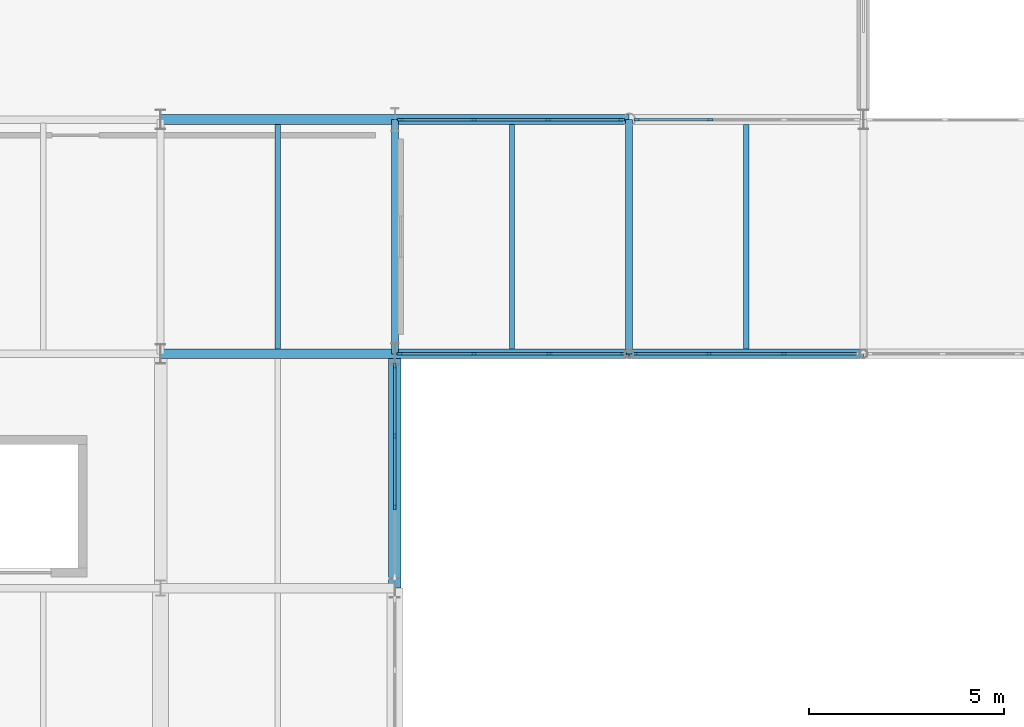
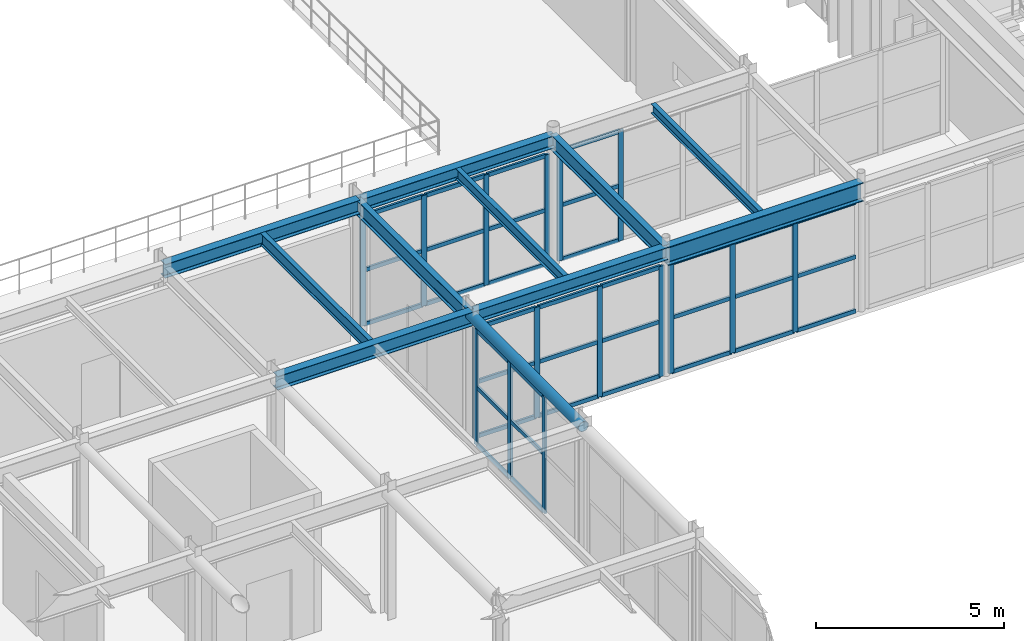
# One storey, part 34 of 84: 52 members, 11 beams, 5 elements without a shape of their own.
"""IFC4 building model written with IfcOpenShell, lengths in metres."""

from ifc_helpers import new_model, si_unit, direction, frame, origin, origin_2d, place, context, subcontext, project, spatial, rectangle, hollow_circle, i_section, extrude, material, material_profile, profile_set, type_object, element, aggregate, save


model = new_model("IFC4")

# Units and contexts
model_context = context("Model", 3, precision=1e-05, world=origin(), true_north=direction((0.0, 1.0)))
body_context = subcontext(model_context, "Body", "Model", "MODEL_VIEW")
ifc_project = project(units=[si_unit("LENGTHUNIT", "METRE"), si_unit("AREAUNIT", "SQUARE_METRE"), si_unit("VOLUMEUNIT", "CUBIC_METRE"), si_unit("PLANEANGLEUNIT", "RADIAN"), si_unit("MASSUNIT", "GRAM", prefix="KILO")], contexts=[model_context])

# Site, building, storey
site_placement = place(None, origin())
site = spatial("IfcSite", under=ifc_project, at=site_placement, CompositionType="ELEMENT")
building_placement = place(site_placement, origin())
building = spatial("IfcBuilding", under=site, at=building_placement, Name="Varnakota Square Police Headquarters", CompositionType="ELEMENT")
storey_placement = place(building_placement, frame((0.0, 0.0, 13.5)))
storey = spatial("IfcBuildingStorey", under=building, at=storey_placement, Name="L03", CompositionType="ELEMENT", Elevation=13.5)

# Beams
ifc_material_1 = material(Name="Steel IS 2062 Grade 350", Category="steel")
ifc_material_profile_1 = material_profile(ifc_material_1, hollow_circle(Radius=0.161865234375, WallThickness=0.0126953125, at=origin_2d()), Name="CHS 323.9x12.7")
ifc_profile_set_1 = profile_set([ifc_material_profile_1], Name="Steel IS 2062 Grade 350")
beam_type_1 = type_object("IfcBeamType", Name="BM-ARC-CHS324", PredefinedType="BEAM", material=ifc_profile_set_1)
beam_1_placement = place(storey_placement, frame((42.0, 63.0, 4.0380859375), z_axis=(0.0, 1.0, 0.0), x_axis=(-1.0, 0.0, 0.0)))
element("IfcBeam", 1, at=beam_1_placement, inside=storey, type_object=beam_type_1, Name="BMG-L03-2660", PredefinedType="BEAM", context=body_context, shape_type="SweptSolid", body=[
    extrude(hollow_circle(Radius=0.161865234375, WallThickness=0.0126953125, at=origin_2d()), origin(), (0.0, 0.0, 1.0), 6.0),
])
ifc_material_profile_2 = material_profile(ifc_material_1, i_section(OverallWidth=0.25, OverallDepth=0.39990234375, WebThickness=0.010498046875, FlangeThickness=0.0126953125, FilletRadius=0.013916015625, at=origin_2d()), Name="ISHB 400")
ifc_profile_set_2 = profile_set([ifc_material_profile_2], Name="Steel IS 2062 Grade 350")
beam_type_2 = type_object("IfcBeamType", Name="BM-ISHB400", PredefinedType="BEAM", material=ifc_profile_set_2)
for number, where, z_axis, x_axis, name in (
    (2, (42.0, 69.0, 4.0), (1.0, 0.0, 0.0), (0.0, 1.0, 0.0), "BMG-L03-2513"),
    (3, (42.0, 75.0, 4.0), (1.0, 0.0, 0.0), (0.0, 1.0, 0.0), "BMG-L03-2535"),
):
    element("IfcBeam", number, at=place(storey_placement, frame(where, z_axis=z_axis, x_axis=x_axis)), inside=storey, type_object=beam_type_2, Name=name, PredefinedType="BEAM", context=body_context, shape_type="SweptSolid", body=[
        extrude(i_section(OverallWidth=0.25, OverallDepth=0.39990234375, WebThickness=0.010498046875, FlangeThickness=0.0126953125, FilletRadius=0.013916015625, at=origin_2d()), origin(), (0.0, 0.0, 1.0), 6.0),
    ])
ifc_material_profile_3 = material_profile(ifc_material_1, i_section(OverallWidth=0.25, OverallDepth=0.449951171875, WebThickness=0.01123046875, FlangeThickness=0.013671875, FilletRadius=0.014892578125, at=origin_2d()), Name="ISHB 450")
ifc_profile_set_3 = profile_set([ifc_material_profile_3], Name="Steel IS 2062 Grade 350")
beam_type_3 = type_object("IfcBeamType", Name="BM-ISHB450", PredefinedType="BEAM", material=ifc_profile_set_3)
for number, where, z_axis, x_axis, name in (
    (4, (36.0, 69.0, 3.97509765625), (1.0, 0.0, 0.0), (0.0, 1.0, 0.0), "BMG-L03-2512"),
    (5, (36.0, 75.0, 3.97509765625), (1.0, 0.0, 0.0), (0.0, 1.0, 0.0), "BMG-L03-2534"),
):
    element("IfcBeam", number, at=place(storey_placement, frame(where, z_axis=z_axis, x_axis=x_axis)), inside=storey, type_object=beam_type_3, Name=name, PredefinedType="BEAM", context=body_context, shape_type="SweptSolid", body=[
        extrude(i_section(OverallWidth=0.25, OverallDepth=0.449951171875, WebThickness=0.01123046875, FlangeThickness=0.013671875, FilletRadius=0.014892578125, at=origin_2d()), origin(), (0.0, 0.0, 1.0), 6.0),
    ])
ifc_material_profile_4 = material_profile(ifc_material_1, i_section(OverallWidth=0.139892578125, OverallDepth=0.300048828125, WebThickness=0.0078125, FlangeThickness=0.01318359375, FilletRadius=0.013916015625, at=origin_2d()), Name="ISMB 300")
ifc_profile_set_4 = profile_set([ifc_material_profile_4], Name="Steel IS 2062 Grade 350")
beam_type_4 = type_object("IfcBeamType", Name="BM-ISMB300", PredefinedType="JOIST", material=ifc_profile_set_4)
beam_2_placement = place(storey_placement, frame((51.0, 69.123046875, 4.050048828125), z_axis=(0.0, 1.0, 0.0), x_axis=(-1.0, 0.0, 0.0)))
element("IfcBeam", 6, at=beam_2_placement, inside=storey, type_object=beam_type_4, Name="BMG-L03-2800", PredefinedType="JOIST", context=body_context, shape_type="SweptSolid", body=[
    extrude(i_section(OverallWidth=0.139892578125, OverallDepth=0.300048828125, WebThickness=0.0078125, FlangeThickness=0.01318359375, FilletRadius=0.013916015625, at=origin_2d()), origin(), (0.0, 0.0, 1.0), 5.75390625),
])
ifc_material_profile_5 = material_profile(ifc_material_1, i_section(OverallWidth=0.139892578125, OverallDepth=0.35009765625, WebThickness=0.008056640625, FlangeThickness=0.01416015625, FilletRadius=0.013916015625, at=origin_2d()), Name="ISMB 350")
ifc_profile_set_5 = profile_set([ifc_material_profile_5], Name="Steel IS 2062 Grade 350")
beam_type_5 = type_object("IfcBeamType", Name="BM-ISMB350", PredefinedType="JOIST", material=ifc_profile_set_5)
beam_3_placement = place(storey_placement, frame((45.0, 69.123046875, 4.02490234375), z_axis=(0.0, 1.0, 0.0), x_axis=(-1.0, 0.0, 0.0)))
element("IfcBeam", 7, at=beam_3_placement, inside=storey, type_object=beam_type_5, Name="BMG-L03-2799", PredefinedType="JOIST", context=body_context, shape_type="SweptSolid", body=[
    extrude(i_section(OverallWidth=0.139892578125, OverallDepth=0.35009765625, WebThickness=0.008056640625, FlangeThickness=0.01416015625, FilletRadius=0.013916015625, at=origin_2d()), origin(), (0.0, 0.0, 1.0), 5.75390625),
])
ifc_material_profile_6 = material_profile(ifc_material_1, i_section(OverallWidth=0.139892578125, OverallDepth=0.39990234375, WebThickness=0.0087890625, FlangeThickness=0.01611328125, FilletRadius=0.013916015625, at=origin_2d()), Name="ISMB 400")
ifc_profile_set_6 = profile_set([ifc_material_profile_6], Name="Steel IS 2062 Grade 350")
beam_type_6 = type_object("IfcBeamType", Name="BM-ISMB400", PredefinedType="JOIST", material=ifc_profile_set_6)
beam_4_placement = place(storey_placement, frame((39.0, 69.123046875, 4.0), z_axis=(0.0, 1.0, 0.0), x_axis=(-1.0, 0.0, 0.0)))
element("IfcBeam", 8, at=beam_4_placement, inside=storey, type_object=beam_type_6, Name="BMG-L03-2798", PredefinedType="JOIST", context=body_context, shape_type="SweptSolid", body=[
    extrude(i_section(OverallWidth=0.139892578125, OverallDepth=0.39990234375, WebThickness=0.0087890625, FlangeThickness=0.01611328125, FilletRadius=0.013916015625, at=origin_2d()), origin(), (0.0, 0.0, 1.0), 5.75390625),
])
ifc_material_profile_7 = material_profile(ifc_material_1, i_section(OverallWidth=0.179931640625, OverallDepth=0.5, WebThickness=0.01025390625, FlangeThickness=0.01708984375, FilletRadius=0.01708984375, at=origin_2d()), Name="ISMB 500")
ifc_profile_set_7 = profile_set([ifc_material_profile_7], Name="Steel IS 2062 Grade 350")
beam_type_7 = type_object("IfcBeamType", Name="BM-ISMB500", PredefinedType="BEAM", material=ifc_profile_set_7)
for number, where, z_axis, x_axis, name in (
    (9, (42.0, 69.0, 3.949951171875), (0.0, 1.0, 0.0), (-1.0, 0.0, 0.0), "BMG-L03-2661"),
    (10, (48.0, 69.0, 3.949951171875), (0.0, 1.0, 0.0), (-1.0, 0.0, 0.0), "BMG-L03-2663"),
):
    element("IfcBeam", number, at=place(storey_placement, frame(where, z_axis=z_axis, x_axis=x_axis)), inside=storey, type_object=beam_type_7, Name=name, PredefinedType="BEAM", context=body_context, shape_type="SweptSolid", body=[
        extrude(i_section(OverallWidth=0.179931640625, OverallDepth=0.5, WebThickness=0.01025390625, FlangeThickness=0.01708984375, FilletRadius=0.01708984375, at=origin_2d()), origin(), (0.0, 0.0, 1.0), 6.0),
    ])
ifc_material_profile_8 = material_profile(ifc_material_1, i_section(OverallWidth=0.25, OverallDepth=0.60009765625, WebThickness=0.01171875, FlangeThickness=0.023681640625, FilletRadius=0.01708984375, at=origin_2d()), Name="ISWB 600")
ifc_profile_set_8 = profile_set([ifc_material_profile_8], Name="Steel IS 2062 Grade 350")
beam_type_8 = type_object("IfcBeamType", Name="BM-ISWB600", PredefinedType="BEAM", material=ifc_profile_set_8)
beam_5_placement = place(storey_placement, frame((48.0, 69.0, 3.89990234375), z_axis=(1.0, 0.0, 0.0), x_axis=(0.0, 1.0, 0.0)))
element("IfcBeam", 11, at=beam_5_placement, inside=storey, type_object=beam_type_8, Name="BMG-L03-2514", PredefinedType="BEAM", context=body_context, shape_type="SweptSolid", body=[
    extrude(i_section(OverallWidth=0.25, OverallDepth=0.60009765625, WebThickness=0.01171875, FlangeThickness=0.023681640625, FilletRadius=0.01708984375, at=origin_2d()), origin(), (0.0, 0.0, 1.0), 6.0),
])

# Curtain wall, members
ifc_material_2 = material(Name="Anodised Aluminium Framing", Category="aluminium")
curtain_wall_type_1 = type_object("IfcCurtainWallType", Name="CW-SYS-D", PredefinedType="NOTDEFINED", material=ifc_material_2)
curtain_wall_1_placement = place(storey_placement, origin())
curtain_wall_1 = element("IfcCurtainWall", 12, at=curtain_wall_1_placement, inside=storey, type_object=curtain_wall_type_1, Name="Unitised curtain wall CWG-L03-173", PredefinedType="NOTDEFINED")
ifc_material_3 = material(Name="Anodised Aluminium 6063-T6", Category="aluminium")
ifc_material_profile_9 = material_profile(ifc_material_3, rectangle(XDim=0.06494140625, YDim=0.159912109375, at=origin_2d()), Name="ALU MULLION 65x160")
ifc_profile_set_9 = profile_set([ifc_material_profile_9], Name="Anodised Aluminium 6063-T6")
member_type_1 = type_object("IfcMemberType", Name="CWM-150", PredefinedType="MULLION", material=ifc_profile_set_9)
member_1_placement = place(storey_placement, frame((42.0, 65.07666015625, 0.0), z_axis=(0.0, 0.0, 1.0), x_axis=(-1.0, 0.0, 0.0)))
member_1 = element("IfcMember", 13, at=member_1_placement, type_object=member_type_1, Name="CWG-L03-173 mullion 2", PredefinedType="MULLION", context=body_context, shape_type="SweptSolid", body=[
    extrude(rectangle(XDim=0.06494140625, YDim=0.159912109375, at=origin_2d()), origin(), (0.0, 0.0, 1.0), 3.78369140625),
])
member_2_placement = place(storey_placement, frame((42.0, 66.8984375, 0.0), z_axis=(0.0, 0.0, 1.0), x_axis=(-1.0, 0.0, 0.0)))
member_2 = element("IfcMember", 14, at=member_2_placement, type_object=member_type_1, Name="CWG-L03-173 mullion 3", PredefinedType="MULLION", context=body_context, shape_type="SweptSolid", body=[
    extrude(rectangle(XDim=0.06494140625, YDim=0.159912109375, at=origin_2d()), origin(), (0.0, 0.0, 1.0), 3.78369140625),
])
member_3_placement = place(storey_placement, frame((42.0, 68.6875, 0.0), z_axis=(0.0, 0.0, 1.0), x_axis=(-1.0, 0.0, 0.0)))
member_3 = element("IfcMember", 15, at=member_3_placement, type_object=member_type_1, Name="CWG-L03-173 mullion 4", PredefinedType="MULLION", context=body_context, shape_type="SweptSolid", body=[
    extrude(rectangle(XDim=0.06494140625, YDim=0.159912109375, at=origin_2d()), origin(), (0.0, 0.0, 1.0), 3.78369140625),
])

curtain_wall_type_2 = type_object("IfcCurtainWallType", Name="CW-SYS-E", PredefinedType="NOTDEFINED", material=ifc_material_2)
curtain_wall_2_placement = place(storey_placement, origin())
curtain_wall_2 = element("IfcCurtainWall", 16, at=curtain_wall_2_placement, inside=storey, type_object=curtain_wall_type_2, Name="Unitised curtain wall CWG-L03-210", PredefinedType="NOTDEFINED")
member_4_placement = place(storey_placement, frame((42.132568359375, 69.0, 0.0), z_axis=(0.0, 0.0, 1.0), x_axis=(0.0, 1.0, 0.0)))
member_4 = element("IfcMember", 17, at=member_4_placement, type_object=member_type_1, Name="CWG-L03-210 mullion 1", PredefinedType="MULLION", context=body_context, shape_type="SweptSolid", body=[
    extrude(rectangle(XDim=0.06494140625, YDim=0.159912109375, at=origin_2d()), origin(), (0.0, 0.0, 1.0), 3.590087890625),
])
member_5_placement = place(storey_placement, frame((44.028564453125, 69.0, 0.0), z_axis=(0.0, 0.0, 1.0), x_axis=(0.0, 1.0, 0.0)))
member_5 = element("IfcMember", 18, at=member_5_placement, type_object=member_type_1, Name="CWG-L03-210 mullion 2", PredefinedType="MULLION", context=body_context, shape_type="SweptSolid", body=[
    extrude(rectangle(XDim=0.06494140625, YDim=0.159912109375, at=origin_2d()), origin(), (0.0, 0.0, 1.0), 3.590087890625),
])
member_6_placement = place(storey_placement, frame((45.95703125, 69.0, 0.0), z_axis=(0.0, 0.0, 1.0), x_axis=(0.0, 1.0, 0.0)))
member_6 = element("IfcMember", 19, at=member_6_placement, type_object=member_type_1, Name="CWG-L03-210 mullion 3", PredefinedType="MULLION", context=body_context, shape_type="SweptSolid", body=[
    extrude(rectangle(XDim=0.06494140625, YDim=0.159912109375, at=origin_2d()), origin(), (0.0, 0.0, 1.0), 3.590087890625),
])
member_7_placement = place(storey_placement, frame((47.852783203125, 69.0, 0.0), z_axis=(0.0, 0.0, 1.0), x_axis=(0.0, 1.0, 0.0)))
member_7 = element("IfcMember", 20, at=member_7_placement, type_object=member_type_1, Name="CWG-L03-210 mullion 4", PredefinedType="MULLION", context=body_context, shape_type="SweptSolid", body=[
    extrude(rectangle(XDim=0.06494140625, YDim=0.159912109375, at=origin_2d()), origin(), (0.0, 0.0, 1.0), 3.590087890625),
])

curtain_wall_3_placement = place(storey_placement, origin())
curtain_wall_3 = element("IfcCurtainWall", 21, at=curtain_wall_3_placement, inside=storey, type_object=curtain_wall_type_2, Name="Unitised curtain wall CWG-L03-211", PredefinedType="NOTDEFINED")
member_8_placement = place(storey_placement, frame((42.142578125, 75.0, 0.0), z_axis=(0.0, 0.0, 1.0), x_axis=(0.0, 1.0, 0.0)))
member_8 = element("IfcMember", 22, at=member_8_placement, type_object=member_type_1, Name="CWG-L03-211 mullion 1", PredefinedType="MULLION", context=body_context, shape_type="SweptSolid", body=[
    extrude(rectangle(XDim=0.06494140625, YDim=0.159912109375, at=origin_2d()), origin(), (0.0, 0.0, 1.0), 3.590087890625),
])
member_9_placement = place(storey_placement, frame((44.017578125, 75.0, 0.0), z_axis=(0.0, 0.0, 1.0), x_axis=(0.0, 1.0, 0.0)))
member_9 = element("IfcMember", 23, at=member_9_placement, type_object=member_type_1, Name="CWG-L03-211 mullion 2", PredefinedType="MULLION", context=body_context, shape_type="SweptSolid", body=[
    extrude(rectangle(XDim=0.06494140625, YDim=0.159912109375, at=origin_2d()), origin(), (0.0, 0.0, 1.0), 3.590087890625),
])
member_10_placement = place(storey_placement, frame((45.92529296875, 75.0, 0.0), z_axis=(0.0, 0.0, 1.0), x_axis=(0.0, 1.0, 0.0)))
member_10 = element("IfcMember", 24, at=member_10_placement, type_object=member_type_1, Name="CWG-L03-211 mullion 3", PredefinedType="MULLION", context=body_context, shape_type="SweptSolid", body=[
    extrude(rectangle(XDim=0.06494140625, YDim=0.159912109375, at=origin_2d()), origin(), (0.0, 0.0, 1.0), 3.590087890625),
])
member_11_placement = place(storey_placement, frame((47.800537109375, 75.0, 0.0), z_axis=(0.0, 0.0, 1.0), x_axis=(0.0, 1.0, 0.0)))
member_11 = element("IfcMember", 25, at=member_11_placement, type_object=member_type_1, Name="CWG-L03-211 mullion 4", PredefinedType="MULLION", context=body_context, shape_type="SweptSolid", body=[
    extrude(rectangle(XDim=0.06494140625, YDim=0.159912109375, at=origin_2d()), origin(), (0.0, 0.0, 1.0), 3.590087890625),
])

curtain_wall_4_placement = place(storey_placement, origin())
curtain_wall_4 = element("IfcCurtainWall", 26, at=curtain_wall_4_placement, inside=storey, type_object=curtain_wall_type_2, Name="Unitised curtain wall CWG-L03-212", PredefinedType="NOTDEFINED")
member_12_placement = place(storey_placement, frame((48.147216796875, 69.0, 0.0), z_axis=(0.0, 0.0, 1.0), x_axis=(0.0, 1.0, 0.0)))
member_12 = element("IfcMember", 27, at=member_12_placement, type_object=member_type_1, Name="CWG-L03-212 mullion 1", PredefinedType="MULLION", context=body_context, shape_type="SweptSolid", body=[
    extrude(rectangle(XDim=0.06494140625, YDim=0.159912109375, at=origin_2d()), origin(), (0.0, 0.0, 1.0), 3.590087890625),
])
member_13_placement = place(storey_placement, frame((50.0380859375, 69.0, 0.0), z_axis=(0.0, 0.0, 1.0), x_axis=(0.0, 1.0, 0.0)))
member_13 = element("IfcMember", 28, at=member_13_placement, type_object=member_type_1, Name="CWG-L03-212 mullion 2", PredefinedType="MULLION", context=body_context, shape_type="SweptSolid", body=[
    extrude(rectangle(XDim=0.06494140625, YDim=0.159912109375, at=origin_2d()), origin(), (0.0, 0.0, 1.0), 3.590087890625),
])
member_14_placement = place(storey_placement, frame((51.9619140625, 69.0, 0.0), z_axis=(0.0, 0.0, 1.0), x_axis=(0.0, 1.0, 0.0)))
member_14 = element("IfcMember", 29, at=member_14_placement, type_object=member_type_1, Name="CWG-L03-212 mullion 3", PredefinedType="MULLION", context=body_context, shape_type="SweptSolid", body=[
    extrude(rectangle(XDim=0.06494140625, YDim=0.159912109375, at=origin_2d()), origin(), (0.0, 0.0, 1.0), 3.590087890625),
])

curtain_wall_5_placement = place(storey_placement, origin())
curtain_wall_5 = element("IfcCurtainWall", 30, at=curtain_wall_5_placement, inside=storey, type_object=curtain_wall_type_2, Name="Unitised curtain wall CWG-L03-213", PredefinedType="NOTDEFINED")
member_15_placement = place(storey_placement, frame((48.199462890625, 75.0, 0.0), z_axis=(0.0, 0.0, 1.0), x_axis=(0.0, 1.0, 0.0)))
member_15 = element("IfcMember", 31, at=member_15_placement, type_object=member_type_1, Name="CWG-L03-213 mullion 1", PredefinedType="MULLION", context=body_context, shape_type="SweptSolid", body=[
    extrude(rectangle(XDim=0.06494140625, YDim=0.159912109375, at=origin_2d()), origin(), (0.0, 0.0, 1.0), 3.590087890625),
])
member_16_placement = place(storey_placement, frame((50.06787109375, 75.0, 0.0), z_axis=(0.0, 0.0, 1.0), x_axis=(0.0, 1.0, 0.0)))
member_16 = element("IfcMember", 32, at=member_16_placement, type_object=member_type_1, Name="CWG-L03-213 mullion 2", PredefinedType="MULLION", context=body_context, shape_type="SweptSolid", body=[
    extrude(rectangle(XDim=0.06494140625, YDim=0.159912109375, at=origin_2d()), origin(), (0.0, 0.0, 1.0), 3.590087890625),
])

# Member
ifc_material_profile_10 = material_profile(ifc_material_3, rectangle(XDim=0.06494140625, YDim=0.1298828125, at=origin_2d()), Name="ALU TRANSOM 65x130")
ifc_profile_set_10 = profile_set([ifc_material_profile_10], Name="Anodised Aluminium 6063-T6")
member_type_2 = type_object("IfcMemberType", Name="CWT-120", PredefinedType="USERDEFINED", material=ifc_profile_set_10)
member_17_placement = place(storey_placement, frame((42.0, 65.109130859375, 0.032470703125), z_axis=(0.0, 1.0, 0.0), x_axis=(-1.0, 0.0, 0.0)))
member_17 = element("IfcMember", 33, at=member_17_placement, type_object=member_type_2, Name="CWG-L03-173 transom 2.1", ObjectType="TRANSOM", PredefinedType="USERDEFINED", context=body_context, shape_type="SweptSolid", body=[
    extrude(rectangle(XDim=0.06494140625, YDim=0.1298828125, at=origin_2d()), origin(), (0.0, 0.0, 1.0), 1.756591796875),
])

member_18_placement = place(storey_placement, frame((42.0, 65.109130859375, 1.891845703125), z_axis=(0.0, 1.0, 0.0), x_axis=(-1.0, 0.0, 0.0)))
member_18 = element("IfcMember", 34, at=member_18_placement, type_object=member_type_2, Name="CWG-L03-173 transom 2.2", ObjectType="TRANSOM", PredefinedType="USERDEFINED", context=body_context, shape_type="SweptSolid", body=[
    extrude(rectangle(XDim=0.06494140625, YDim=0.1298828125, at=origin_2d()), origin(), (0.0, 0.0, 1.0), 1.756591796875),
])

member_19_placement = place(storey_placement, frame((42.0, 65.109130859375, 3.751220703125), z_axis=(0.0, 1.0, 0.0), x_axis=(-1.0, 0.0, 0.0)))
member_19 = element("IfcMember", 35, at=member_19_placement, type_object=member_type_2, Name="CWG-L03-173 transom 2.3", ObjectType="TRANSOM", PredefinedType="USERDEFINED", context=body_context, shape_type="SweptSolid", body=[
    extrude(rectangle(XDim=0.06494140625, YDim=0.1298828125, at=origin_2d()), origin(), (0.0, 0.0, 1.0), 1.756591796875),
])

member_20_placement = place(storey_placement, frame((42.0, 66.930908203125, 0.032470703125), z_axis=(0.0, 1.0, 0.0), x_axis=(-1.0, 0.0, 0.0)))
member_20 = element("IfcMember", 36, at=member_20_placement, type_object=member_type_2, Name="CWG-L03-173 transom 3.1", ObjectType="TRANSOM", PredefinedType="USERDEFINED", context=body_context, shape_type="SweptSolid", body=[
    extrude(rectangle(XDim=0.06494140625, YDim=0.1298828125, at=origin_2d()), origin(), (0.0, 0.0, 1.0), 1.72412109375),
])

member_21_placement = place(storey_placement, frame((42.0, 66.930908203125, 1.891845703125), z_axis=(0.0, 1.0, 0.0), x_axis=(-1.0, 0.0, 0.0)))
member_21 = element("IfcMember", 37, at=member_21_placement, type_object=member_type_2, Name="CWG-L03-173 transom 3.2", ObjectType="TRANSOM", PredefinedType="USERDEFINED", context=body_context, shape_type="SweptSolid", body=[
    extrude(rectangle(XDim=0.06494140625, YDim=0.1298828125, at=origin_2d()), origin(), (0.0, 0.0, 1.0), 1.72412109375),
])

member_22_placement = place(storey_placement, frame((42.0, 66.930908203125, 3.751220703125), z_axis=(0.0, 1.0, 0.0), x_axis=(-1.0, 0.0, 0.0)))
member_22 = element("IfcMember", 38, at=member_22_placement, type_object=member_type_2, Name="CWG-L03-173 transom 3.3", ObjectType="TRANSOM", PredefinedType="USERDEFINED", context=body_context, shape_type="SweptSolid", body=[
    extrude(rectangle(XDim=0.06494140625, YDim=0.1298828125, at=origin_2d()), origin(), (0.0, 0.0, 1.0), 1.72412109375),
])

aggregate(curtain_wall_1, [member_1, member_2, member_3, member_17, member_18, member_19, member_20, member_21, member_22])

member_23_placement = place(storey_placement, frame((42.1650390625, 69.0, 0.032470703125), z_axis=(1.0, 0.0, 0.0), x_axis=(0.0, 1.0, 0.0)))
member_23 = element("IfcMember", 39, at=member_23_placement, type_object=member_type_2, Name="CWG-L03-210 transom 1.1", ObjectType="TRANSOM", PredefinedType="USERDEFINED", context=body_context, shape_type="SweptSolid", body=[
    extrude(rectangle(XDim=0.06494140625, YDim=0.1298828125, at=origin_2d()), origin(), (0.0, 0.0, 1.0), 1.830810546875),
])

member_24_placement = place(storey_placement, frame((42.1650390625, 69.0, 1.794921875), z_axis=(1.0, 0.0, 0.0), x_axis=(0.0, 1.0, 0.0)))
member_24 = element("IfcMember", 40, at=member_24_placement, type_object=member_type_2, Name="CWG-L03-210 transom 1.2", ObjectType="TRANSOM", PredefinedType="USERDEFINED", context=body_context, shape_type="SweptSolid", body=[
    extrude(rectangle(XDim=0.06494140625, YDim=0.1298828125, at=origin_2d()), origin(), (0.0, 0.0, 1.0), 1.830810546875),
])

member_25_placement = place(storey_placement, frame((42.1650390625, 69.0, 3.5576171875), z_axis=(1.0, 0.0, 0.0), x_axis=(0.0, 1.0, 0.0)))
member_25 = element("IfcMember", 41, at=member_25_placement, type_object=member_type_2, Name="CWG-L03-210 transom 1.3", ObjectType="TRANSOM", PredefinedType="USERDEFINED", context=body_context, shape_type="SweptSolid", body=[
    extrude(rectangle(XDim=0.06494140625, YDim=0.1298828125, at=origin_2d()), origin(), (0.0, 0.0, 1.0), 1.830810546875),
])

member_26_placement = place(storey_placement, frame((44.06103515625, 69.0, 0.032470703125), z_axis=(1.0, 0.0, 0.0), x_axis=(0.0, 1.0, 0.0)))
member_26 = element("IfcMember", 42, at=member_26_placement, type_object=member_type_2, Name="CWG-L03-210 transom 2.1", ObjectType="TRANSOM", PredefinedType="USERDEFINED", context=body_context, shape_type="SweptSolid", body=[
    extrude(rectangle(XDim=0.06494140625, YDim=0.1298828125, at=origin_2d()), origin(), (0.0, 0.0, 1.0), 1.86328125),
])

member_27_placement = place(storey_placement, frame((44.06103515625, 69.0, 1.794921875), z_axis=(1.0, 0.0, 0.0), x_axis=(0.0, 1.0, 0.0)))
member_27 = element("IfcMember", 43, at=member_27_placement, type_object=member_type_2, Name="CWG-L03-210 transom 2.2", ObjectType="TRANSOM", PredefinedType="USERDEFINED", context=body_context, shape_type="SweptSolid", body=[
    extrude(rectangle(XDim=0.06494140625, YDim=0.1298828125, at=origin_2d()), origin(), (0.0, 0.0, 1.0), 1.86328125),
])

member_28_placement = place(storey_placement, frame((44.06103515625, 69.0, 3.5576171875), z_axis=(1.0, 0.0, 0.0), x_axis=(0.0, 1.0, 0.0)))
member_28 = element("IfcMember", 44, at=member_28_placement, type_object=member_type_2, Name="CWG-L03-210 transom 2.3", ObjectType="TRANSOM", PredefinedType="USERDEFINED", context=body_context, shape_type="SweptSolid", body=[
    extrude(rectangle(XDim=0.06494140625, YDim=0.1298828125, at=origin_2d()), origin(), (0.0, 0.0, 1.0), 1.86328125),
])

member_29_placement = place(storey_placement, frame((45.989501953125, 69.0, 0.032470703125), z_axis=(1.0, 0.0, 0.0), x_axis=(0.0, 1.0, 0.0)))
member_29 = element("IfcMember", 45, at=member_29_placement, type_object=member_type_2, Name="CWG-L03-210 transom 3.1", ObjectType="TRANSOM", PredefinedType="USERDEFINED", context=body_context, shape_type="SweptSolid", body=[
    extrude(rectangle(XDim=0.06494140625, YDim=0.1298828125, at=origin_2d()), origin(), (0.0, 0.0, 1.0), 1.830810546875),
])

member_30_placement = place(storey_placement, frame((45.989501953125, 69.0, 1.794921875), z_axis=(1.0, 0.0, 0.0), x_axis=(0.0, 1.0, 0.0)))
member_30 = element("IfcMember", 46, at=member_30_placement, type_object=member_type_2, Name="CWG-L03-210 transom 3.2", ObjectType="TRANSOM", PredefinedType="USERDEFINED", context=body_context, shape_type="SweptSolid", body=[
    extrude(rectangle(XDim=0.06494140625, YDim=0.1298828125, at=origin_2d()), origin(), (0.0, 0.0, 1.0), 1.830810546875),
])

member_31_placement = place(storey_placement, frame((45.989501953125, 69.0, 3.5576171875), z_axis=(1.0, 0.0, 0.0), x_axis=(0.0, 1.0, 0.0)))
member_31 = element("IfcMember", 47, at=member_31_placement, type_object=member_type_2, Name="CWG-L03-210 transom 3.3", ObjectType="TRANSOM", PredefinedType="USERDEFINED", context=body_context, shape_type="SweptSolid", body=[
    extrude(rectangle(XDim=0.06494140625, YDim=0.1298828125, at=origin_2d()), origin(), (0.0, 0.0, 1.0), 1.830810546875),
])

aggregate(curtain_wall_2, [member_4, member_5, member_6, member_7, member_23, member_24, member_25, member_26, member_27, member_28, member_29, member_30, member_31])

member_32_placement = place(storey_placement, frame((42.175048828125, 75.0, 0.032470703125), z_axis=(1.0, 0.0, 0.0), x_axis=(0.0, 1.0, 0.0)))
member_32 = element("IfcMember", 48, at=member_32_placement, type_object=member_type_2, Name="CWG-L03-211 transom 1.1", ObjectType="TRANSOM", PredefinedType="USERDEFINED", context=body_context, shape_type="SweptSolid", body=[
    extrude(rectangle(XDim=0.06494140625, YDim=0.1298828125, at=origin_2d()), origin(), (0.0, 0.0, 1.0), 1.81005859375),
])

member_33_placement = place(storey_placement, frame((42.175048828125, 75.0, 1.794921875), z_axis=(1.0, 0.0, 0.0), x_axis=(0.0, 1.0, 0.0)))
member_33 = element("IfcMember", 49, at=member_33_placement, type_object=member_type_2, Name="CWG-L03-211 transom 1.2", ObjectType="TRANSOM", PredefinedType="USERDEFINED", context=body_context, shape_type="SweptSolid", body=[
    extrude(rectangle(XDim=0.06494140625, YDim=0.1298828125, at=origin_2d()), origin(), (0.0, 0.0, 1.0), 1.81005859375),
])

member_34_placement = place(storey_placement, frame((42.175048828125, 75.0, 3.5576171875), z_axis=(1.0, 0.0, 0.0), x_axis=(0.0, 1.0, 0.0)))
member_34 = element("IfcMember", 50, at=member_34_placement, type_object=member_type_2, Name="CWG-L03-211 transom 1.3", ObjectType="TRANSOM", PredefinedType="USERDEFINED", context=body_context, shape_type="SweptSolid", body=[
    extrude(rectangle(XDim=0.06494140625, YDim=0.1298828125, at=origin_2d()), origin(), (0.0, 0.0, 1.0), 1.81005859375),
])

member_35_placement = place(storey_placement, frame((44.05029296875, 75.0, 0.032470703125), z_axis=(1.0, 0.0, 0.0), x_axis=(0.0, 1.0, 0.0)))
member_35 = element("IfcMember", 51, at=member_35_placement, type_object=member_type_2, Name="CWG-L03-211 transom 2.1", ObjectType="TRANSOM", PredefinedType="USERDEFINED", context=body_context, shape_type="SweptSolid", body=[
    extrude(rectangle(XDim=0.06494140625, YDim=0.1298828125, at=origin_2d()), origin(), (0.0, 0.0, 1.0), 1.842529296875),
])

member_36_placement = place(storey_placement, frame((44.05029296875, 75.0, 1.794921875), z_axis=(1.0, 0.0, 0.0), x_axis=(0.0, 1.0, 0.0)))
member_36 = element("IfcMember", 52, at=member_36_placement, type_object=member_type_2, Name="CWG-L03-211 transom 2.2", ObjectType="TRANSOM", PredefinedType="USERDEFINED", context=body_context, shape_type="SweptSolid", body=[
    extrude(rectangle(XDim=0.06494140625, YDim=0.1298828125, at=origin_2d()), origin(), (0.0, 0.0, 1.0), 1.842529296875),
])

member_37_placement = place(storey_placement, frame((44.05029296875, 75.0, 3.5576171875), z_axis=(1.0, 0.0, 0.0), x_axis=(0.0, 1.0, 0.0)))
member_37 = element("IfcMember", 53, at=member_37_placement, type_object=member_type_2, Name="CWG-L03-211 transom 2.3", ObjectType="TRANSOM", PredefinedType="USERDEFINED", context=body_context, shape_type="SweptSolid", body=[
    extrude(rectangle(XDim=0.06494140625, YDim=0.1298828125, at=origin_2d()), origin(), (0.0, 0.0, 1.0), 1.842529296875),
])

member_38_placement = place(storey_placement, frame((45.9580078125, 75.0, 0.032470703125), z_axis=(1.0, 0.0, 0.0), x_axis=(0.0, 1.0, 0.0)))
member_38 = element("IfcMember", 54, at=member_38_placement, type_object=member_type_2, Name="CWG-L03-211 transom 3.1", ObjectType="TRANSOM", PredefinedType="USERDEFINED", context=body_context, shape_type="SweptSolid", body=[
    extrude(rectangle(XDim=0.06494140625, YDim=0.1298828125, at=origin_2d()), origin(), (0.0, 0.0, 1.0), 1.81005859375),
])

member_39_placement = place(storey_placement, frame((45.9580078125, 75.0, 1.794921875), z_axis=(1.0, 0.0, 0.0), x_axis=(0.0, 1.0, 0.0)))
member_39 = element("IfcMember", 55, at=member_39_placement, type_object=member_type_2, Name="CWG-L03-211 transom 3.2", ObjectType="TRANSOM", PredefinedType="USERDEFINED", context=body_context, shape_type="SweptSolid", body=[
    extrude(rectangle(XDim=0.06494140625, YDim=0.1298828125, at=origin_2d()), origin(), (0.0, 0.0, 1.0), 1.81005859375),
])

member_40_placement = place(storey_placement, frame((45.9580078125, 75.0, 3.5576171875), z_axis=(1.0, 0.0, 0.0), x_axis=(0.0, 1.0, 0.0)))
member_40 = element("IfcMember", 56, at=member_40_placement, type_object=member_type_2, Name="CWG-L03-211 transom 3.3", ObjectType="TRANSOM", PredefinedType="USERDEFINED", context=body_context, shape_type="SweptSolid", body=[
    extrude(rectangle(XDim=0.06494140625, YDim=0.1298828125, at=origin_2d()), origin(), (0.0, 0.0, 1.0), 1.81005859375),
])

aggregate(curtain_wall_3, [member_8, member_9, member_10, member_11, member_32, member_33, member_34, member_35, member_36, member_37, member_38, member_39, member_40])

member_41_placement = place(storey_placement, frame((48.1796875, 69.0, 0.032470703125), z_axis=(1.0, 0.0, 0.0), x_axis=(0.0, 1.0, 0.0)))
member_41 = element("IfcMember", 57, at=member_41_placement, type_object=member_type_2, Name="CWG-L03-212 transom 1.1", ObjectType="TRANSOM", PredefinedType="USERDEFINED", context=body_context, shape_type="SweptSolid", body=[
    extrude(rectangle(XDim=0.06494140625, YDim=0.1298828125, at=origin_2d()), origin(), (0.0, 0.0, 1.0), 1.825927734375),
])

member_42_placement = place(storey_placement, frame((48.1796875, 69.0, 1.794921875), z_axis=(1.0, 0.0, 0.0), x_axis=(0.0, 1.0, 0.0)))
member_42 = element("IfcMember", 58, at=member_42_placement, type_object=member_type_2, Name="CWG-L03-212 transom 1.2", ObjectType="TRANSOM", PredefinedType="USERDEFINED", context=body_context, shape_type="SweptSolid", body=[
    extrude(rectangle(XDim=0.06494140625, YDim=0.1298828125, at=origin_2d()), origin(), (0.0, 0.0, 1.0), 1.825927734375),
])

member_43_placement = place(storey_placement, frame((48.1796875, 69.0, 3.5576171875), z_axis=(1.0, 0.0, 0.0), x_axis=(0.0, 1.0, 0.0)))
member_43 = element("IfcMember", 59, at=member_43_placement, type_object=member_type_2, Name="CWG-L03-212 transom 1.3", ObjectType="TRANSOM", PredefinedType="USERDEFINED", context=body_context, shape_type="SweptSolid", body=[
    extrude(rectangle(XDim=0.06494140625, YDim=0.1298828125, at=origin_2d()), origin(), (0.0, 0.0, 1.0), 1.825927734375),
])

member_44_placement = place(storey_placement, frame((50.07080078125, 69.0, 0.032470703125), z_axis=(1.0, 0.0, 0.0), x_axis=(0.0, 1.0, 0.0)))
member_44 = element("IfcMember", 60, at=member_44_placement, type_object=member_type_2, Name="CWG-L03-212 transom 2.1", ObjectType="TRANSOM", PredefinedType="USERDEFINED", context=body_context, shape_type="SweptSolid", body=[
    extrude(rectangle(XDim=0.06494140625, YDim=0.1298828125, at=origin_2d()), origin(), (0.0, 0.0, 1.0), 1.8583984375),
])

member_45_placement = place(storey_placement, frame((50.07080078125, 69.0, 1.794921875), z_axis=(1.0, 0.0, 0.0), x_axis=(0.0, 1.0, 0.0)))
member_45 = element("IfcMember", 61, at=member_45_placement, type_object=member_type_2, Name="CWG-L03-212 transom 2.2", ObjectType="TRANSOM", PredefinedType="USERDEFINED", context=body_context, shape_type="SweptSolid", body=[
    extrude(rectangle(XDim=0.06494140625, YDim=0.1298828125, at=origin_2d()), origin(), (0.0, 0.0, 1.0), 1.8583984375),
])

member_46_placement = place(storey_placement, frame((50.07080078125, 69.0, 3.5576171875), z_axis=(1.0, 0.0, 0.0), x_axis=(0.0, 1.0, 0.0)))
member_46 = element("IfcMember", 62, at=member_46_placement, type_object=member_type_2, Name="CWG-L03-212 transom 2.3", ObjectType="TRANSOM", PredefinedType="USERDEFINED", context=body_context, shape_type="SweptSolid", body=[
    extrude(rectangle(XDim=0.06494140625, YDim=0.1298828125, at=origin_2d()), origin(), (0.0, 0.0, 1.0), 1.8583984375),
])

member_47_placement = place(storey_placement, frame((51.994384765625, 69.0, 0.032470703125), z_axis=(1.0, 0.0, 0.0), x_axis=(0.0, 1.0, 0.0)))
member_47 = element("IfcMember", 63, at=member_47_placement, type_object=member_type_2, Name="CWG-L03-212 transom 3.1", ObjectType="TRANSOM", PredefinedType="USERDEFINED", context=body_context, shape_type="SweptSolid", body=[
    extrude(rectangle(XDim=0.06494140625, YDim=0.1298828125, at=origin_2d()), origin(), (0.0, 0.0, 1.0), 1.825927734375),
])

member_48_placement = place(storey_placement, frame((51.994384765625, 69.0, 1.794921875), z_axis=(1.0, 0.0, 0.0), x_axis=(0.0, 1.0, 0.0)))
member_48 = element("IfcMember", 64, at=member_48_placement, type_object=member_type_2, Name="CWG-L03-212 transom 3.2", ObjectType="TRANSOM", PredefinedType="USERDEFINED", context=body_context, shape_type="SweptSolid", body=[
    extrude(rectangle(XDim=0.06494140625, YDim=0.1298828125, at=origin_2d()), origin(), (0.0, 0.0, 1.0), 1.825927734375),
])

member_49_placement = place(storey_placement, frame((51.994384765625, 69.0, 3.5576171875), z_axis=(1.0, 0.0, 0.0), x_axis=(0.0, 1.0, 0.0)))
member_49 = element("IfcMember", 65, at=member_49_placement, type_object=member_type_2, Name="CWG-L03-212 transom 3.3", ObjectType="TRANSOM", PredefinedType="USERDEFINED", context=body_context, shape_type="SweptSolid", body=[
    extrude(rectangle(XDim=0.06494140625, YDim=0.1298828125, at=origin_2d()), origin(), (0.0, 0.0, 1.0), 1.825927734375),
])

aggregate(curtain_wall_4, [member_12, member_13, member_14, member_41, member_42, member_43, member_44, member_45, member_46, member_47, member_48, member_49])

member_50_placement = place(storey_placement, frame((48.23193359375, 75.0, 0.032470703125), z_axis=(1.0, 0.0, 0.0), x_axis=(0.0, 1.0, 0.0)))
member_50 = element("IfcMember", 66, at=member_50_placement, type_object=member_type_2, Name="CWG-L03-213 transom 1.1", ObjectType="TRANSOM", PredefinedType="USERDEFINED", context=body_context, shape_type="SweptSolid", body=[
    extrude(rectangle(XDim=0.06494140625, YDim=0.1298828125, at=origin_2d()), origin(), (0.0, 0.0, 1.0), 1.803466796875),
])

member_51_placement = place(storey_placement, frame((48.23193359375, 75.0, 1.794921875), z_axis=(1.0, 0.0, 0.0), x_axis=(0.0, 1.0, 0.0)))
member_51 = element("IfcMember", 67, at=member_51_placement, type_object=member_type_2, Name="CWG-L03-213 transom 1.2", ObjectType="TRANSOM", PredefinedType="USERDEFINED", context=body_context, shape_type="SweptSolid", body=[
    extrude(rectangle(XDim=0.06494140625, YDim=0.1298828125, at=origin_2d()), origin(), (0.0, 0.0, 1.0), 1.803466796875),
])

member_52_placement = place(storey_placement, frame((48.23193359375, 75.0, 3.5576171875), z_axis=(1.0, 0.0, 0.0), x_axis=(0.0, 1.0, 0.0)))
member_52 = element("IfcMember", 68, at=member_52_placement, type_object=member_type_2, Name="CWG-L03-213 transom 1.3", ObjectType="TRANSOM", PredefinedType="USERDEFINED", context=body_context, shape_type="SweptSolid", body=[
    extrude(rectangle(XDim=0.06494140625, YDim=0.1298828125, at=origin_2d()), origin(), (0.0, 0.0, 1.0), 1.803466796875),
])

aggregate(curtain_wall_5, [member_15, member_16, member_50, member_51, member_52])

save(model, "model.ifc")
